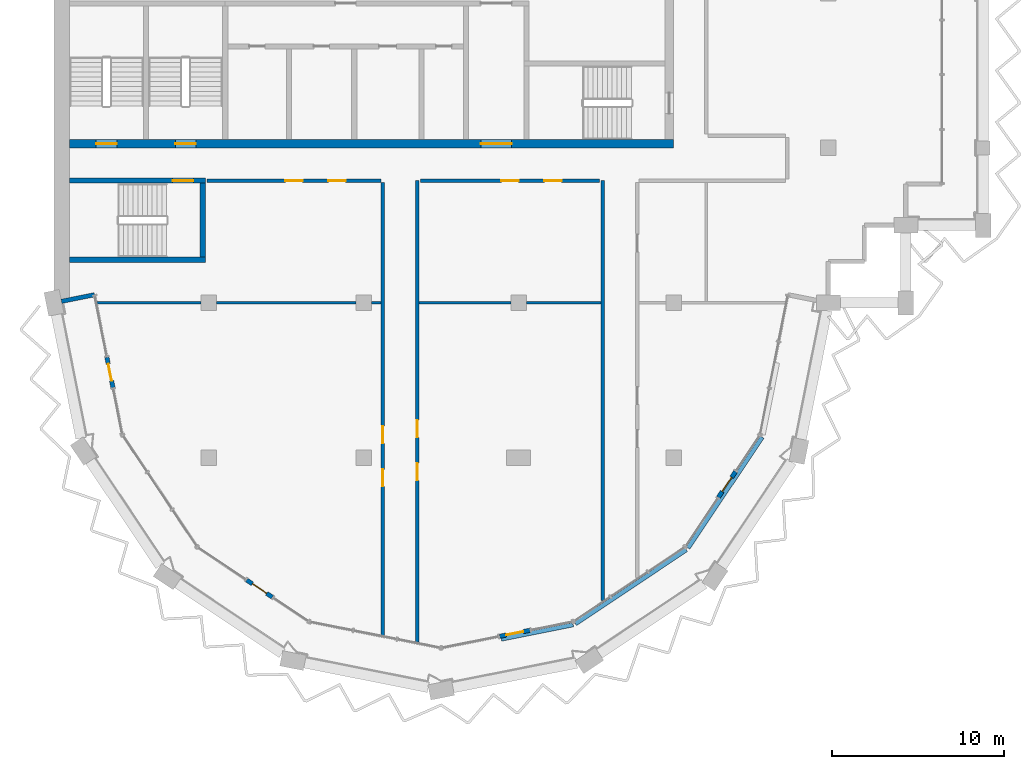
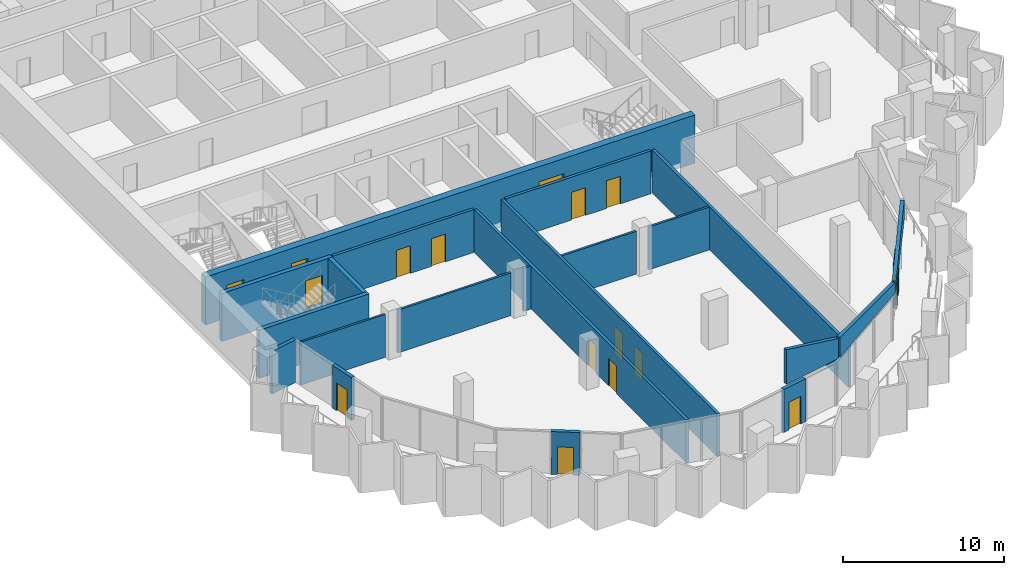
# One storey, part 5 of 13: 22 walls, 16 doors, 16 openings.
"""IFC4 building model written with IfcOpenShell, lengths in metres."""

from ifc_helpers import new_model, si_unit, direction, frame, frame_2d, origin, place, context, subcontext, project, spatial, polyline, rectangle, outline, extrude, material, layer, layer_set, type_object, element, fill, save


model = new_model("IFC4")

# Units and contexts
model_context = context("Model", 3, precision=1e-05, world=origin(), true_north=direction((0.0, 1.0)))
body_context = subcontext(model_context, "Body", "Model", "MODEL_VIEW")
ifc_project = project(units=[si_unit("LENGTHUNIT", "METRE"), si_unit("AREAUNIT", "SQUARE_METRE"), si_unit("VOLUMEUNIT", "CUBIC_METRE"), si_unit("PLANEANGLEUNIT", "RADIAN"), si_unit("MASSUNIT", "GRAM", prefix="KILO")], contexts=[model_context])

# Site, building, storey
site_placement = place(None, origin())
site = spatial("IfcSite", under=ifc_project, at=site_placement, CompositionType="ELEMENT")
building_placement = place(site_placement, origin())
building = spatial("IfcBuilding", under=site, at=building_placement, Name="Hunhe Ridgeline Campus", CompositionType="ELEMENT")
storey_placement = place(building_placement, frame((0.0, 0.0, 299.300048828125)))
storey = spatial("IfcBuildingStorey", under=building, at=storey_placement, Name="L77", CompositionType="ELEMENT", Elevation=299.300048828125)

# Wall, openings, doors
ifc_material_1 = material(Name="Concrete C50", Category="concrete")
ifc_layer_1 = layer(ifc_material_1, 0.5)
ifc_layer_set_1 = layer_set([ifc_layer_1], Name="Core wall 500 reinforced concrete C50")
wall_type_1 = type_object("IfcWallType", Name="Core wall 500 reinforced concrete C50", PredefinedType="SOLIDWALL", material=ifc_layer_set_1)
wall_1_placement = place(storey_placement, frame((0.89990234375, 63.25, -0.400146484375), z_axis=(0.0, 0.0, 1.0), x_axis=(1.0, 0.0, 0.0)))
wall_1 = element("IfcWall", 1, at=wall_1_placement, inside=storey, type_object=wall_type_1, Name="L77 core wall 3", PredefinedType="SOLIDWALL", context=body_context, shape_type="SweptSolid", body=[
    extrude(rectangle(XDim=35.10009765625, YDim=0.5, at=frame_2d((17.550048828125, 0.0))), origin(), (0.0, 0.0, 1.0), 3.650146484375),
])
opening_1_placement = place(wall_1_placement, frame((23.89990234375, 0.0, 0.39990234375)))
opening_1 = element("IfcOpeningElement", 2, at=opening_1_placement, cuts=wall_1, Name="Opening CD6", PredefinedType="OPENING", context=body_context, shape_type="SweptSolid", body=[
    extrude(rectangle(XDim=1.800048828125, YDim=2.10009765625, at=frame_2d((0.89990234375, 1.050048828125))), frame((0.0, 0.25, 0.0), z_axis=(0.0, -1.0, 0.0), x_axis=(1.0, 0.0, 0.0)), (0.0, 0.0, 1.0), 0.5),
])
opening_2_placement = place(wall_1_placement, frame((1.550048828125, 0.0, 0.39990234375)))
opening_2 = element("IfcOpeningElement", 3, at=opening_2_placement, cuts=wall_1, Name="Opening CD13", PredefinedType="OPENING", context=body_context, shape_type="SweptSolid", body=[
    extrude(rectangle(XDim=1.199951171875, YDim=2.10009765625, at=frame_2d((0.60009765625, 1.050048828125))), frame((0.0, 0.25, 0.0), z_axis=(0.0, -1.0, 0.0), x_axis=(1.0, 0.0, 0.0)), (0.0, 0.0, 1.0), 0.5),
])
opening_3_placement = place(wall_1_placement, frame((6.14990234375, 0.0, 0.39990234375)))
opening_3 = element("IfcOpeningElement", 4, at=opening_3_placement, cuts=wall_1, Name="Opening CD14", PredefinedType="OPENING", context=body_context, shape_type="SweptSolid", body=[
    extrude(rectangle(XDim=1.199951171875, YDim=2.10009765625, at=frame_2d((0.60009765625, 1.050048828125))), frame((0.0, 0.25, 0.0), z_axis=(0.0, -1.0, 0.0), x_axis=(1.0, 0.0, 0.0)), (0.0, 0.0, 1.0), 0.5),
])
ifc_material_2 = material(Name="Anodised aluminium and glass", Category="aluminium")
door_type_1 = type_object("IfcDoorType", Name="Glazed double door 1800x2100", OperationType="DOUBLE_DOOR_SINGLE_SWING", PredefinedType="DOOR", material=ifc_material_2)
door_1_placement = place(opening_1_placement, frame((1.800048828125, 0.0, 0.0), z_axis=(0.0, 0.0, 1.0), x_axis=(-1.0, 0.0, 0.0)))
door_1 = element("IfcDoor", 5, at=door_1_placement, inside=storey, type_object=door_type_1, Name="L77 door VEST-FLOOR", OperationType="DOUBLE_DOOR_SINGLE_SWING", OverallHeight=2.10009765625, OverallWidth=1.800048828125, PredefinedType="DOOR", context=body_context, shape_type="SweptSolid", body=[
    extrude(rectangle(XDim=1.800048828125, YDim=2.10009765625, at=frame_2d((0.89990234375, 1.050048828125))), frame((0.0, 0.02490234375, 0.0), z_axis=(0.0, -1.0, 0.0), x_axis=(1.0, 0.0, 0.0)), (0.0, 0.0, 1.0), 0.050048828125),
])
fill(opening_1, door_1)
ifc_material_3 = material(Name="Hollow metal fire door leaf")
door_type_2 = type_object("IfcDoorType", Name="Stair door 1200x2100 FD60", OperationType="SINGLE_SWING_LEFT", PredefinedType="DOOR", material=ifc_material_3)
door_2_placement = place(opening_2_placement, frame((1.199951171875, 0.0, 0.0), z_axis=(0.0, 0.0, 1.0), x_axis=(-1.0, 0.0, 0.0)))
door_2 = element("IfcDoor", 6, at=door_2_placement, inside=storey, type_object=door_type_2, Name="L77 door S3", OperationType="SINGLE_SWING_LEFT", OverallHeight=2.10009765625, OverallWidth=1.199951171875, PredefinedType="DOOR", context=body_context, shape_type="SweptSolid", body=[
    extrude(rectangle(XDim=1.199951171875, YDim=2.10009765625, at=frame_2d((0.60009765625, 1.050048828125))), frame((0.0, 0.02490234375, 0.0), z_axis=(0.0, -1.0, 0.0), x_axis=(1.0, 0.0, 0.0)), (0.0, 0.0, 1.0), 0.050048828125),
])
fill(opening_2, door_2)
door_3_placement = place(opening_3_placement, frame((1.199951171875, 0.0, 0.0), z_axis=(0.0, 0.0, 1.0), x_axis=(-1.0, 0.0, 0.0)))
door_3 = element("IfcDoor", 7, at=door_3_placement, inside=storey, type_object=door_type_2, Name="L77 door S4", OperationType="SINGLE_SWING_RIGHT", OverallHeight=2.10009765625, OverallWidth=1.199951171875, PredefinedType="DOOR", context=body_context, shape_type="SweptSolid", body=[
    extrude(rectangle(XDim=1.199951171875, YDim=2.10009765625, at=frame_2d((0.60009765625, 1.050048828125))), frame((0.0, 0.02490234375, 0.0), z_axis=(0.0, -1.0, 0.0), x_axis=(1.0, 0.0, 0.0)), (0.0, 0.0, 1.0), 0.050048828125),
])
fill(opening_3, door_3)

# Wall
ifc_material_4 = material(Name="Concrete C30", Category="concrete")
ifc_layer_2 = layer(ifc_material_4, 0.25)
ifc_layer_set_2 = layer_set([ifc_layer_2], Name="Corner return wall 250 Concrete C30")
wall_type_2 = type_object("IfcWallType", Name="Corner return wall 250 Concrete C30", PredefinedType="SOLIDWALL", material=ifc_layer_set_2)
wall_2_placement = place(storey_placement, frame((0.441162109375, 54.088623046875, 0.0), z_axis=(0.0, 0.0, 1.0), x_axis=(0.980834936053, 0.194840519958, 0.0)))
element("IfcWall", 8, at=wall_2_placement, inside=storey, type_object=wall_type_2, Name="Corner return wall 1", PredefinedType="SOLIDWALL", context=body_context, shape_type="SweptSolid", body=[
    extrude(rectangle(XDim=1.950927734375, YDim=0.25, at=frame_2d((0.9755859375, 0.0))), origin(), (0.0, 0.0, 1.0), 3.25),
])

# Wall, openings, doors
ifc_material_5 = material(Name="Gypsum board partition")
ifc_layer_3 = layer(ifc_material_5, 0.199951171875)
ifc_layer_set_3 = layer_set([ifc_layer_3], Name="Corridor partition 200 gypsum board on steel studs")
wall_type_3 = type_object("IfcWallType", Name="Corridor partition 200 gypsum board on steel studs", PredefinedType="PARTITIONING", material=ifc_layer_set_3)
wall_3_placement = place(storey_placement, frame((19.0, 61.10009765625, 0.0), z_axis=(0.0, 0.0, 1.0), x_axis=(-1.0, 0.0, 0.0)))
wall_3 = element("IfcWall", 9, at=wall_3_placement, inside=storey, type_object=wall_type_3, Name="F-L77-wall-008", PredefinedType="PARTITIONING", context=body_context, shape_type="SweptSolid", body=[
    extrude(rectangle(XDim=10.095947265625, YDim=0.199951171875, at=frame_2d((5.0478515625, 0.0))), origin(), (0.0, 0.0, 1.0), 3.25),
])
opening_4_placement = place(wall_3_placement, frame((4.548095703125, 0.0, 0.0)))
opening_4 = element("IfcOpeningElement", 10, at=opening_4_placement, cuts=wall_3, Name="Opening RD1-008", PredefinedType="OPENING", context=body_context, shape_type="SweptSolid", body=[
    extrude(rectangle(XDim=1.0, YDim=2.10009765625, at=frame_2d((0.5, 1.050048828125))), frame((0.0, 0.10009765625, 0.0), z_axis=(0.0, -1.0, 0.0), x_axis=(1.0, 0.0, 0.0)), (0.0, 0.0, 1.0), 0.199951171875),
])
opening_5_placement = place(wall_3_placement, frame((2.048095703125, 0.0, 0.0)))
opening_5 = element("IfcOpeningElement", 11, at=opening_5_placement, cuts=wall_3, Name="Opening RD1-009", PredefinedType="OPENING", context=body_context, shape_type="SweptSolid", body=[
    extrude(rectangle(XDim=1.0, YDim=2.10009765625, at=frame_2d((0.5, 1.050048828125))), frame((0.0, 0.10009765625, 0.0), z_axis=(0.0, -1.0, 0.0), x_axis=(1.0, 0.0, 0.0)), (0.0, 0.0, 1.0), 0.199951171875),
])
ifc_material_6 = material(Name="Timber door leaf", Category="wood")
door_type_3 = type_object("IfcDoorType", Name="Single fire door 1000x2100 timber FD60", OperationType="NOTDEFINED", PredefinedType="DOOR", material=ifc_material_6)
door_4_placement = place(opening_4_placement, frame((1.0, 0.0, 0.0), z_axis=(0.0, 0.0, 1.0), x_axis=(-1.0, 0.0, 0.0)))
door_4 = element("IfcDoor", 12, at=door_4_placement, inside=storey, type_object=door_type_3, Name="F-L77-door-008", OperationType="SINGLE_SWING_RIGHT", OverallHeight=2.10009765625, OverallWidth=1.0, PredefinedType="DOOR", context=body_context, shape_type="SweptSolid", body=[
    extrude(rectangle(XDim=1.0, YDim=2.10009765625, at=frame_2d((0.5, 1.050048828125))), frame((0.0, 0.02490234375, 0.0), z_axis=(0.0, -1.0, 0.0), x_axis=(1.0, 0.0, 0.0)), (0.0, 0.0, 1.0), 0.050048828125),
])
fill(opening_4, door_4)
door_5_placement = place(opening_5_placement, frame((1.0, 0.0, 0.0), z_axis=(0.0, 0.0, 1.0), x_axis=(-1.0, 0.0, 0.0)))
door_5 = element("IfcDoor", 13, at=door_5_placement, inside=storey, type_object=door_type_3, Name="F-L77-door-009", OperationType="SINGLE_SWING_RIGHT", OverallHeight=2.10009765625, OverallWidth=1.0, PredefinedType="DOOR", context=body_context, shape_type="SweptSolid", body=[
    extrude(rectangle(XDim=1.0, YDim=2.10009765625, at=frame_2d((0.5, 1.050048828125))), frame((0.0, 0.02490234375, 0.0), z_axis=(0.0, -1.0, 0.0), x_axis=(1.0, 0.0, 0.0)), (0.0, 0.0, 1.0), 0.050048828125),
])
fill(opening_5, door_5)

wall_4_placement = place(storey_placement, frame((31.6982421875, 61.10009765625, 0.0), z_axis=(0.0, 0.0, 1.0), x_axis=(-1.0, 0.0, 0.0)))
wall_4 = element("IfcWall", 14, at=wall_4_placement, inside=storey, type_object=wall_type_3, Name="F-L77-wall-009", PredefinedType="PARTITIONING", context=body_context, shape_type="SweptSolid", body=[
    extrude(rectangle(XDim=10.406005859375, YDim=0.199951171875, at=frame_2d((5.203125, 0.0))), origin(), (0.0, 0.0, 1.0), 3.25),
])
opening_6_placement = place(wall_4_placement, frame((4.703125, 0.0, 0.0)))
opening_6 = element("IfcOpeningElement", 15, at=opening_6_placement, cuts=wall_4, Name="Opening RD1-010", PredefinedType="OPENING", context=body_context, shape_type="SweptSolid", body=[
    extrude(rectangle(XDim=1.0, YDim=2.10009765625, at=frame_2d((0.5, 1.050048828125))), frame((0.0, 0.10009765625, 0.0), z_axis=(0.0, -1.0, 0.0), x_axis=(1.0, 0.0, 0.0)), (0.0, 0.0, 1.0), 0.199951171875),
])
opening_7_placement = place(wall_4_placement, frame((2.203125, 0.0, 0.0)))
opening_7 = element("IfcOpeningElement", 16, at=opening_7_placement, cuts=wall_4, Name="Opening RD1-011", PredefinedType="OPENING", context=body_context, shape_type="SweptSolid", body=[
    extrude(rectangle(XDim=1.0, YDim=2.10009765625, at=frame_2d((0.5, 1.050048828125))), frame((0.0, 0.10009765625, 0.0), z_axis=(0.0, -1.0, 0.0), x_axis=(1.0, 0.0, 0.0)), (0.0, 0.0, 1.0), 0.199951171875),
])
door_6_placement = place(opening_6_placement, frame((1.0, 0.0, 0.0), z_axis=(0.0, 0.0, 1.0), x_axis=(-1.0, 0.0, 0.0)))
door_6 = element("IfcDoor", 17, at=door_6_placement, inside=storey, type_object=door_type_3, Name="F-L77-door-010", OperationType="SINGLE_SWING_LEFT", OverallHeight=2.10009765625, OverallWidth=1.0, PredefinedType="DOOR", context=body_context, shape_type="SweptSolid", body=[
    extrude(rectangle(XDim=1.0, YDim=2.10009765625, at=frame_2d((0.5, 1.050048828125))), frame((0.0, 0.02490234375, 0.0), z_axis=(0.0, -1.0, 0.0), x_axis=(1.0, 0.0, 0.0)), (0.0, 0.0, 1.0), 0.050048828125),
])
fill(opening_6, door_6)
door_7_placement = place(opening_7_placement, frame((1.0, 0.0, 0.0), z_axis=(0.0, 0.0, 1.0), x_axis=(-1.0, 0.0, 0.0)))
door_7 = element("IfcDoor", 18, at=door_7_placement, inside=storey, type_object=door_type_3, Name="F-L77-door-011", OperationType="SINGLE_SWING_RIGHT", OverallHeight=2.10009765625, OverallWidth=1.0, PredefinedType="DOOR", context=body_context, shape_type="SweptSolid", body=[
    extrude(rectangle(XDim=1.0, YDim=2.10009765625, at=frame_2d((0.5, 1.050048828125))), frame((0.0, 0.02490234375, 0.0), z_axis=(0.0, -1.0, 0.0), x_axis=(1.0, 0.0, 0.0)), (0.0, 0.0, 1.0), 0.050048828125),
])
fill(opening_7, door_7)

wall_5_placement = place(storey_placement, frame((19.10009765625, 34.679443359375, 0.0), z_axis=(0.0, 0.0, 1.0), x_axis=(0.0, 1.0, 0.0)))
wall_5 = element("IfcWall", 19, at=wall_5_placement, inside=storey, type_object=wall_type_3, Name="F-L77-wall-017", PredefinedType="PARTITIONING", context=body_context, shape_type="SweptSolid", body=[
    extrude(rectangle(XDim=26.320556640625, YDim=0.199951171875, at=frame_2d((13.16015625, 0.0))), origin(), (0.0, 0.0, 1.0), 3.25),
])
opening_8_placement = place(wall_5_placement, frame((8.65087890625, 0.0, 0.0)))
opening_8 = element("IfcOpeningElement", 20, at=opening_8_placement, cuts=wall_5, Name="Opening RD1-001", PredefinedType="OPENING", context=body_context, shape_type="SweptSolid", body=[
    extrude(rectangle(XDim=1.0, YDim=2.10009765625, at=frame_2d((0.5, 1.050048828125))), frame((0.0, 0.10009765625, 0.0), z_axis=(0.0, -1.0, 0.0), x_axis=(1.0, 0.0, 0.0)), (0.0, 0.0, 1.0), 0.199951171875),
])
opening_9_placement = place(wall_5_placement, frame((11.15087890625, 0.0, 0.0)))
opening_9 = element("IfcOpeningElement", 21, at=opening_9_placement, cuts=wall_5, Name="Opening RD1-004", PredefinedType="OPENING", context=body_context, shape_type="SweptSolid", body=[
    extrude(rectangle(XDim=1.0, YDim=2.10009765625, at=frame_2d((0.5, 1.050048828125))), frame((0.0, 0.10009765625, 0.0), z_axis=(0.0, -1.0, 0.0), x_axis=(1.0, 0.0, 0.0)), (0.0, 0.0, 1.0), 0.199951171875),
])
door_8_placement = place(opening_8_placement, frame((1.0, 0.0, 0.0), z_axis=(0.0, 0.0, 1.0), x_axis=(-1.0, 0.0, 0.0)))
door_8 = element("IfcDoor", 22, at=door_8_placement, inside=storey, type_object=door_type_3, Name="F-L77-door-001", OperationType="SINGLE_SWING_RIGHT", OverallHeight=2.10009765625, OverallWidth=1.0, PredefinedType="DOOR", context=body_context, shape_type="SweptSolid", body=[
    extrude(rectangle(XDim=1.0, YDim=2.10009765625, at=frame_2d((0.5, 1.050048828125))), frame((0.0, 0.02490234375, 0.0), z_axis=(0.0, -1.0, 0.0), x_axis=(1.0, 0.0, 0.0)), (0.0, 0.0, 1.0), 0.050048828125),
])
fill(opening_8, door_8)
door_9_placement = place(opening_9_placement, frame((1.0, 0.0, 0.0), z_axis=(0.0, 0.0, 1.0), x_axis=(-1.0, 0.0, 0.0)))
door_9 = element("IfcDoor", 23, at=door_9_placement, inside=storey, type_object=door_type_3, Name="F-L77-door-004", OperationType="SINGLE_SWING_LEFT", OverallHeight=2.10009765625, OverallWidth=1.0, PredefinedType="DOOR", context=body_context, shape_type="SweptSolid", body=[
    extrude(rectangle(XDim=1.0, YDim=2.10009765625, at=frame_2d((0.5, 1.050048828125))), frame((0.0, 0.02490234375, 0.0), z_axis=(0.0, -1.0, 0.0), x_axis=(1.0, 0.0, 0.0)), (0.0, 0.0, 1.0), 0.050048828125),
])
fill(opening_9, door_9)

wall_6_placement = place(storey_placement, frame((21.10009765625, 61.10009765625, 0.0), z_axis=(0.0, 0.0, 1.0), x_axis=(0.0, -1.0, 0.0)))
wall_6 = element("IfcWall", 24, at=wall_6_placement, inside=storey, type_object=wall_type_3, Name="F-L77-wall-018", PredefinedType="PARTITIONING", context=body_context, shape_type="SweptSolid", body=[
    extrude(rectangle(XDim=26.818603515625, YDim=0.199951171875, at=frame_2d((13.4091796875, 0.0))), origin(), (0.0, 0.0, 1.0), 3.25),
])
opening_10_placement = place(wall_6_placement, frame((16.418212890625, 0.0, 0.0)))
opening_10 = element("IfcOpeningElement", 25, at=opening_10_placement, cuts=wall_6, Name="Opening RD1-002", PredefinedType="OPENING", context=body_context, shape_type="SweptSolid", body=[
    extrude(rectangle(XDim=1.0, YDim=2.10009765625, at=frame_2d((0.5, 1.050048828125))), frame((0.0, 0.10009765625, 0.0), z_axis=(0.0, -1.0, 0.0), x_axis=(1.0, 0.0, 0.0)), (0.0, 0.0, 1.0), 0.199951171875),
])
opening_11_placement = place(wall_6_placement, frame((13.918212890625, 0.0, 0.0)))
opening_11 = element("IfcOpeningElement", 26, at=opening_11_placement, cuts=wall_6, Name="Opening RD1-005", PredefinedType="OPENING", context=body_context, shape_type="SweptSolid", body=[
    extrude(rectangle(XDim=1.0, YDim=2.10009765625, at=frame_2d((0.5, 1.050048828125))), frame((0.0, 0.10009765625, 0.0), z_axis=(0.0, -1.0, 0.0), x_axis=(1.0, 0.0, 0.0)), (0.0, 0.0, 1.0), 0.199951171875),
])
door_10_placement = place(opening_10_placement, frame((1.0, 0.0, 0.0), z_axis=(0.0, 0.0, 1.0), x_axis=(-1.0, 0.0, 0.0)))
door_10 = element("IfcDoor", 27, at=door_10_placement, inside=storey, type_object=door_type_3, Name="F-L77-door-002", OperationType="SINGLE_SWING_RIGHT", OverallHeight=2.10009765625, OverallWidth=1.0, PredefinedType="DOOR", context=body_context, shape_type="SweptSolid", body=[
    extrude(rectangle(XDim=1.0, YDim=2.10009765625, at=frame_2d((0.5, 1.050048828125))), frame((0.0, 0.02490234375, 0.0), z_axis=(0.0, -1.0, 0.0), x_axis=(1.0, 0.0, 0.0)), (0.0, 0.0, 1.0), 0.050048828125),
])
fill(opening_10, door_10)
door_11_placement = place(opening_11_placement, frame((1.0, 0.0, 0.0), z_axis=(0.0, 0.0, 1.0), x_axis=(-1.0, 0.0, 0.0)))
door_11 = element("IfcDoor", 28, at=door_11_placement, inside=storey, type_object=door_type_3, Name="F-L77-door-005", OperationType="SINGLE_SWING_RIGHT", OverallHeight=2.10009765625, OverallWidth=1.0, PredefinedType="DOOR", context=body_context, shape_type="SweptSolid", body=[
    extrude(rectangle(XDim=1.0, YDim=2.10009765625, at=frame_2d((0.5, 1.050048828125))), frame((0.0, 0.02490234375, 0.0), z_axis=(0.0, -1.0, 0.0), x_axis=(1.0, 0.0, 0.0)), (0.0, 0.0, 1.0), 0.050048828125),
])
fill(opening_11, door_11)

# Walls
wall_7_placement = place(storey_placement, frame((31.89990234375, 36.69287109375, 0.0), z_axis=(0.0, 0.0, 1.0), x_axis=(0.0, 1.0, 0.0)))
element("IfcWall", 29, at=wall_7_placement, inside=storey, type_object=wall_type_3, Name="F-L77-wall-019", PredefinedType="PARTITIONING", context=body_context, shape_type="SweptSolid", body=[
    extrude(rectangle(XDim=24.4072265625, YDim=0.199951171875, at=frame_2d((12.20361328125, 0.0))), origin(), (0.0, 0.0, 1.0), 3.25),
])
ifc_layer_4 = layer(ifc_material_1, 0.25)
ifc_layer_set_4 = layer_set([ifc_layer_4], Name="Crown cladding wall 250 Concrete C50")
wall_type_4 = type_object("IfcWallType", Name="Crown cladding wall 250 Concrete C50", PredefinedType="SOLIDWALL", material=ifc_layer_set_4)
wall_8_placement = place(storey_placement, frame((25.98974609375, 34.4638671875, 3.699951171875), z_axis=(0.0, 0.0, 1.0), x_axis=(0.98079361582, 0.195048412366, 0.0)))
element("IfcWall", 30, at=wall_8_placement, inside=storey, type_object=wall_type_4, Name="Crown cladding wall", PredefinedType="SOLIDWALL", context=body_context, shape_type="SweptSolid", body=[
    extrude(outline(polyline([(0.0, 0.0), (4.265869140625, 0.0), (4.265625, 1.51416015625), (0.0, 2.63134765625), (0.0, 0.0)])), frame((0.0, 0.125, 0.0), z_axis=(0.0, -1.0, 0.0), x_axis=(1.0, 0.0, 0.0)), (0.0, 0.0, 1.0), 0.25),
])
wall_9_placement = place(storey_placement, frame((30.2998046875, 35.34814453125, 3.699951171875), z_axis=(0.0, 0.0, 1.0), x_axis=(0.831458870803, 0.555586308474, 0.0)))
element("IfcWall", 31, at=wall_9_placement, inside=storey, type_object=wall_type_4, Name="Crown cladding wall", PredefinedType="SOLIDWALL", context=body_context, shape_type="SweptSolid", body=[
    extrude(outline(polyline([(0.0, 0.0), (7.754150390625, 0.0), (7.754150390625, 0.7763671875), (0.0, 1.489501953125), (0.0, 0.0)])), frame((0.0, 0.125, 0.0), z_axis=(0.0, -1.0, 0.0), x_axis=(1.0, 0.0, 0.0)), (0.0, 0.0, 1.0), 0.25),
])
wall_10_placement = place(storey_placement, frame((36.84375, 39.7529296875, 3.699951171875), z_axis=(0.0, 0.0, 1.0), x_axis=(0.555586308474, 0.831458870803, 0.0)))
element("IfcWall", 32, at=wall_10_placement, inside=storey, type_object=wall_type_4, Name="Crown cladding wall", PredefinedType="SOLIDWALL", context=body_context, shape_type="SweptSolid", body=[
    extrude(outline(polyline([(0.0, 0.0), (7.754150390625, 0.0), (7.754150390625, 1.489501953125), (0.0, 0.7763671875), (0.0, 0.0)])), frame((0.0, 0.125, 0.0), z_axis=(0.0, -1.0, 0.0), x_axis=(1.0, 0.0, 0.0)), (0.0, 0.0, 1.0), 0.25),
])

# Wall, opening, door
ifc_layer_5 = layer(ifc_material_4, 0.25)
ifc_layer_set_5 = layer_set([ifc_layer_5], Name="Loggia door pier wall 250 Concrete C30")
wall_type_5 = type_object("IfcWallType", Name="Loggia door pier wall 250 Concrete C30", PredefinedType="SOLIDWALL", material=ifc_layer_set_5)
wall_11_placement = place(storey_placement, frame((3.076904296875, 50.8388671875, 0.0), z_axis=(0.0, 0.0, 1.0), x_axis=(0.195046569833, -0.980793982239, 0.0)))
wall_11 = element("IfcWall", 33, at=wall_11_placement, inside=storey, type_object=wall_type_5, Name="Loggia door pier 1", PredefinedType="SOLIDWALL", context=body_context, shape_type="SweptSolid", body=[
    extrude(rectangle(XDim=1.800048828125, YDim=0.25, at=frame_2d((0.89990234375, 0.0))), origin(), (0.0, 0.0, 1.0), 3.25),
])
opening_12_placement = place(wall_11_placement, frame((0.39990234375, 0.0, 0.0)))
opening_12 = element("IfcOpeningElement", 34, at=opening_12_placement, cuts=wall_11, Name="Opening BD601", PredefinedType="OPENING", context=body_context, shape_type="SweptSolid", body=[
    extrude(rectangle(XDim=1.0, YDim=2.10009765625, at=frame_2d((0.5, 1.050048828125))), frame((0.0, 0.125, 0.0), z_axis=(0.0, -1.0, 0.0), x_axis=(1.0, 0.0, 0.0)), (0.0, 0.0, 1.0), 0.25),
])
ifc_material_7 = material(Name="Aluminium 6063", Category="aluminium")
door_type_4 = type_object("IfcDoorType", Name="Loggia glazed door 1000x2100", OperationType="NOTDEFINED", PredefinedType="DOOR", material=ifc_material_7)
door_12_placement = place(opening_12_placement, frame((1.0, 0.0, 0.0), z_axis=(0.0, 0.0, 1.0), x_axis=(-1.0, 0.0, 0.0)))
door_12 = element("IfcDoor", 35, at=door_12_placement, inside=storey, type_object=door_type_4, Name="Loggia door BD601", OperationType="SINGLE_SWING_RIGHT", OverallHeight=2.10009765625, OverallWidth=1.0, PredefinedType="DOOR", context=body_context, shape_type="SweptSolid", body=[
    extrude(rectangle(XDim=1.0, YDim=2.10009765625, at=frame_2d((0.5, 1.050048828125))), frame((0.0, 0.02490234375, 0.0), z_axis=(0.0, -1.0, 0.0), x_axis=(1.0, 0.0, 0.0)), (0.0, 0.0, 1.0), 0.050048828125),
])
fill(opening_12, door_12)

wall_12_placement = place(storey_placement, frame((11.19970703125, 37.897705078125, 0.0), z_axis=(0.0, 0.0, 1.0), x_axis=(0.83146554274, -0.555576323502, 0.0)))
wall_12 = element("IfcWall", 36, at=wall_12_placement, inside=storey, type_object=wall_type_5, Name="Loggia door pier 2", PredefinedType="SOLIDWALL", context=body_context, shape_type="SweptSolid", body=[
    extrude(rectangle(XDim=1.800048828125, YDim=0.25, at=frame_2d((0.89990234375, 0.0))), origin(), (0.0, 0.0, 1.0), 3.25),
])
opening_13_placement = place(wall_12_placement, frame((0.39990234375, 0.0, 0.0)))
opening_13 = element("IfcOpeningElement", 37, at=opening_13_placement, cuts=wall_12, Name="Opening BD602", PredefinedType="OPENING", context=body_context, shape_type="SweptSolid", body=[
    extrude(rectangle(XDim=1.0, YDim=2.10009765625, at=frame_2d((0.5, 1.050048828125))), frame((0.0, 0.125, 0.0), z_axis=(0.0, -1.0, 0.0), x_axis=(1.0, 0.0, 0.0)), (0.0, 0.0, 1.0), 0.25),
])
door_13_placement = place(opening_13_placement, frame((1.0, 0.0, 0.0), z_axis=(0.0, 0.0, 1.0), x_axis=(-1.0, 0.0, 0.0)))
door_13 = element("IfcDoor", 38, at=door_13_placement, inside=storey, type_object=door_type_4, Name="Loggia door BD602", OperationType="SINGLE_SWING_LEFT", OverallHeight=2.10009765625, OverallWidth=1.0, PredefinedType="DOOR", context=body_context, shape_type="SweptSolid", body=[
    extrude(rectangle(XDim=1.0, YDim=2.10009765625, at=frame_2d((0.5, 1.050048828125))), frame((0.0, 0.02490234375, 0.0), z_axis=(0.0, -1.0, 0.0), x_axis=(1.0, 0.0, 0.0)), (0.0, 0.0, 1.0), 0.050048828125),
])
fill(opening_13, door_13)

wall_13_placement = place(storey_placement, frame((25.8955078125, 34.62353515625, 0.0), z_axis=(0.0, 0.0, 1.0), x_axis=(0.980793982239, 0.195046569833, 0.0)))
wall_13 = element("IfcWall", 39, at=wall_13_placement, inside=storey, type_object=wall_type_5, Name="Loggia door pier 3", PredefinedType="SOLIDWALL", context=body_context, shape_type="SweptSolid", body=[
    extrude(rectangle(XDim=1.800048828125, YDim=0.25, at=frame_2d((0.89990234375, 0.0))), origin(), (0.0, 0.0, 1.0), 3.25),
])
opening_14_placement = place(wall_13_placement, frame((0.39990234375, 0.0, 0.0)))
opening_14 = element("IfcOpeningElement", 40, at=opening_14_placement, cuts=wall_13, Name="Opening BD603", PredefinedType="OPENING", context=body_context, shape_type="SweptSolid", body=[
    extrude(rectangle(XDim=1.0, YDim=2.10009765625, at=frame_2d((0.5, 1.050048828125))), frame((0.0, 0.125, 0.0), z_axis=(0.0, -1.0, 0.0), x_axis=(1.0, 0.0, 0.0)), (0.0, 0.0, 1.0), 0.25),
])
door_14_placement = place(opening_14_placement, frame((1.0, 0.0, 0.0), z_axis=(0.0, 0.0, 1.0), x_axis=(-1.0, 0.0, 0.0)))
door_14 = element("IfcDoor", 41, at=door_14_placement, inside=storey, type_object=door_type_4, Name="Loggia door BD603", OperationType="SINGLE_SWING_RIGHT", OverallHeight=2.10009765625, OverallWidth=1.0, PredefinedType="DOOR", context=body_context, shape_type="SweptSolid", body=[
    extrude(rectangle(XDim=1.0, YDim=2.10009765625, at=frame_2d((0.5, 1.050048828125))), frame((0.0, 0.02490234375, 0.0), z_axis=(0.0, -1.0, 0.0), x_axis=(1.0, 0.0, 0.0)), (0.0, 0.0, 1.0), 0.050048828125),
])
fill(opening_14, door_14)

wall_14_placement = place(storey_placement, frame((38.602294921875, 42.69970703125, 0.0), z_axis=(0.0, 0.0, 1.0), x_axis=(0.555576323502, 0.83146554274, 0.0)))
wall_14 = element("IfcWall", 42, at=wall_14_placement, inside=storey, type_object=wall_type_5, Name="Loggia door pier 4", PredefinedType="SOLIDWALL", context=body_context, shape_type="SweptSolid", body=[
    extrude(rectangle(XDim=1.800048828125, YDim=0.25, at=frame_2d((0.89990234375, 0.0))), origin(), (0.0, 0.0, 1.0), 3.25),
])
opening_15_placement = place(wall_14_placement, frame((0.39990234375, 0.0, 0.0)))
opening_15 = element("IfcOpeningElement", 43, at=opening_15_placement, cuts=wall_14, Name="Opening BD604", PredefinedType="OPENING", context=body_context, shape_type="SweptSolid", body=[
    extrude(rectangle(XDim=1.0, YDim=2.10009765625, at=frame_2d((0.5, 1.050048828125))), frame((0.0, 0.125, 0.0), z_axis=(0.0, -1.0, 0.0), x_axis=(1.0, 0.0, 0.0)), (0.0, 0.0, 1.0), 0.25),
])
door_15_placement = place(opening_15_placement, frame((1.0, 0.0, 0.0), z_axis=(0.0, 0.0, 1.0), x_axis=(-1.0, 0.0, 0.0)))
door_15 = element("IfcDoor", 44, at=door_15_placement, inside=storey, type_object=door_type_4, Name="Loggia door BD604", OperationType="SINGLE_SWING_LEFT", OverallHeight=2.10009765625, OverallWidth=1.0, PredefinedType="DOOR", context=body_context, shape_type="SweptSolid", body=[
    extrude(rectangle(XDim=1.0, YDim=2.10009765625, at=frame_2d((0.5, 1.050048828125))), frame((0.0, 0.02490234375, 0.0), z_axis=(0.0, -1.0, 0.0), x_axis=(1.0, 0.0, 0.0)), (0.0, 0.0, 1.0), 0.050048828125),
])
fill(opening_15, door_15)

# Walls
ifc_layer_6 = layer(ifc_material_5, 0.14990234375)
ifc_layer_set_6 = layer_set([ifc_layer_6], Name="Room partition 150 gypsum board on steel studs")
wall_type_6 = type_object("IfcWallType", Name="Room partition 150 gypsum board on steel studs", PredefinedType="PARTITIONING", material=ifc_layer_set_6)
wall_15_placement = place(storey_placement, frame((2.503173828125, 54.0, 0.0), z_axis=(0.0, 0.0, 1.0), x_axis=(1.0, 0.0, 0.0)))
element("IfcWall", 45, at=wall_15_placement, inside=storey, type_object=wall_type_6, Name="F-L77-wall-001", PredefinedType="PARTITIONING", context=body_context, shape_type="SweptSolid", body=[
    extrude(rectangle(XDim=6.046875, YDim=0.14990234375, at=frame_2d((3.0234375, 0.0))), origin(), (0.0, 0.0, 1.0), 3.25),
])
wall_16_placement = place(storey_placement, frame((9.449951171875, 54.0, 0.0), z_axis=(0.0, 0.0, 1.0), x_axis=(1.0, 0.0, 0.0)))
element("IfcWall", 46, at=wall_16_placement, inside=storey, type_object=wall_type_6, Name="F-L77-wall-002", PredefinedType="PARTITIONING", context=body_context, shape_type="SweptSolid", body=[
    extrude(rectangle(XDim=8.10009765625, YDim=0.14990234375, at=frame_2d((4.050048828125, 0.0))), origin(), (0.0, 0.0, 1.0), 3.25),
])
wall_17_placement = place(storey_placement, frame((18.449951171875, 54.0, 0.0), z_axis=(0.0, 0.0, 1.0), x_axis=(1.0, 0.0, 0.0)))
element("IfcWall", 47, at=wall_17_placement, inside=storey, type_object=wall_type_6, Name="F-L77-wall-003", PredefinedType="PARTITIONING", context=body_context, shape_type="SweptSolid", body=[
    extrude(rectangle(XDim=0.550048828125, YDim=0.14990234375, at=frame_2d((0.27490234375, 0.0))), origin(), (0.0, 0.0, 1.0), 3.25),
])
wall_18_placement = place(storey_placement, frame((21.199951171875, 54.0, 0.0), z_axis=(0.0, 0.0, 1.0), x_axis=(1.0, 0.0, 0.0)))
element("IfcWall", 48, at=wall_18_placement, inside=storey, type_object=wall_type_6, Name="F-L77-wall-004", PredefinedType="PARTITIONING", context=body_context, shape_type="SweptSolid", body=[
    extrude(rectangle(XDim=5.35009765625, YDim=0.14990234375, at=frame_2d((2.675048828125, 0.0))), origin(), (0.0, 0.0, 1.0), 3.25),
])
wall_19_placement = place(storey_placement, frame((27.449951171875, 54.0, 0.0), z_axis=(0.0, 0.0, 1.0), x_axis=(1.0, 0.0, 0.0)))
element("IfcWall", 49, at=wall_19_placement, inside=storey, type_object=wall_type_6, Name="F-L77-wall-005", PredefinedType="PARTITIONING", context=body_context, shape_type="SweptSolid", body=[
    extrude(rectangle(XDim=4.35009765625, YDim=0.14990234375, at=frame_2d((2.175048828125, 0.0))), origin(), (0.0, 0.0, 1.0), 3.25),
])
ifc_layer_7 = layer(ifc_material_1, 0.300048828125)
ifc_layer_set_7 = layer_set([ifc_layer_7], Name="Stair wall 300 reinforced concrete C50")
wall_type_7 = type_object("IfcWallType", Name="Stair wall 300 reinforced concrete C50", PredefinedType="SOLIDWALL", material=ifc_layer_set_7)
wall_20_placement = place(storey_placement, frame((0.89990234375, 56.5, -0.400146484375), z_axis=(0.0, 0.0, 1.0), x_axis=(1.0, 0.0, 0.0)))
element("IfcWall", 50, at=wall_20_placement, inside=storey, type_object=wall_type_7, Name="L77 core wall 1", PredefinedType="SOLIDWALL", context=body_context, shape_type="SweptSolid", body=[
    extrude(rectangle(XDim=7.900146484375, YDim=0.300048828125, at=frame_2d((3.9501953125, 0.0))), origin(), (0.0, 0.0, 1.0), 3.650146484375),
])

# Wall, opening, door
wall_21_placement = place(storey_placement, frame((0.89990234375, 61.10009765625, -0.400146484375), z_axis=(0.0, 0.0, 1.0), x_axis=(1.0, 0.0, 0.0)))
wall_21 = element("IfcWall", 51, at=wall_21_placement, inside=storey, type_object=wall_type_7, Name="L77 core wall 2", PredefinedType="SOLIDWALL", context=body_context, shape_type="SweptSolid", body=[
    extrude(rectangle(XDim=7.900146484375, YDim=0.300048828125, at=frame_2d((3.9501953125, 0.0))), origin(), (0.0, 0.0, 1.0), 3.650146484375),
])
opening_16_placement = place(wall_21_placement, frame((6.0, 0.0, 0.39990234375)))
opening_16 = element("IfcOpeningElement", 52, at=opening_16_placement, cuts=wall_21, Name="Opening CD22", PredefinedType="OPENING", context=body_context, shape_type="SweptSolid", body=[
    extrude(rectangle(XDim=1.199951171875, YDim=2.10009765625, at=frame_2d((0.60009765625, 1.050048828125))), frame((0.0, 0.14990234375, 0.0), z_axis=(0.0, -1.0, 0.0), x_axis=(1.0, 0.0, 0.0)), (0.0, 0.0, 1.0), 0.300048828125),
])
door_16_placement = place(opening_16_placement, origin())
door_16 = element("IfcDoor", 53, at=door_16_placement, inside=storey, type_object=door_type_2, Name="L77 door W2", OperationType="SINGLE_SWING_LEFT", OverallHeight=2.10009765625, OverallWidth=1.199951171875, PredefinedType="DOOR", context=body_context, shape_type="SweptSolid", body=[
    extrude(rectangle(XDim=1.199951171875, YDim=2.10009765625, at=frame_2d((0.60009765625, 1.050048828125))), frame((0.0, 0.02490234375, 0.0), z_axis=(0.0, -1.0, 0.0), x_axis=(1.0, 0.0, 0.0)), (0.0, 0.0, 1.0), 0.050048828125),
])
fill(opening_16, door_16)

# Wall
wall_22_placement = place(storey_placement, frame((8.64990234375, 56.64990234375, -0.400146484375), z_axis=(0.0, 0.0, 1.0), x_axis=(0.0, 1.0, 0.0)))
element("IfcWall", 54, at=wall_22_placement, inside=storey, type_object=wall_type_7, Name="L77 core wall 27", PredefinedType="SOLIDWALL", context=body_context, shape_type="SweptSolid", body=[
    extrude(rectangle(XDim=4.300048828125, YDim=0.300048828125, at=frame_2d((2.14990234375, 0.0))), origin(), (0.0, 0.0, 1.0), 3.650146484375),
])

save(model, "model.ifc")
